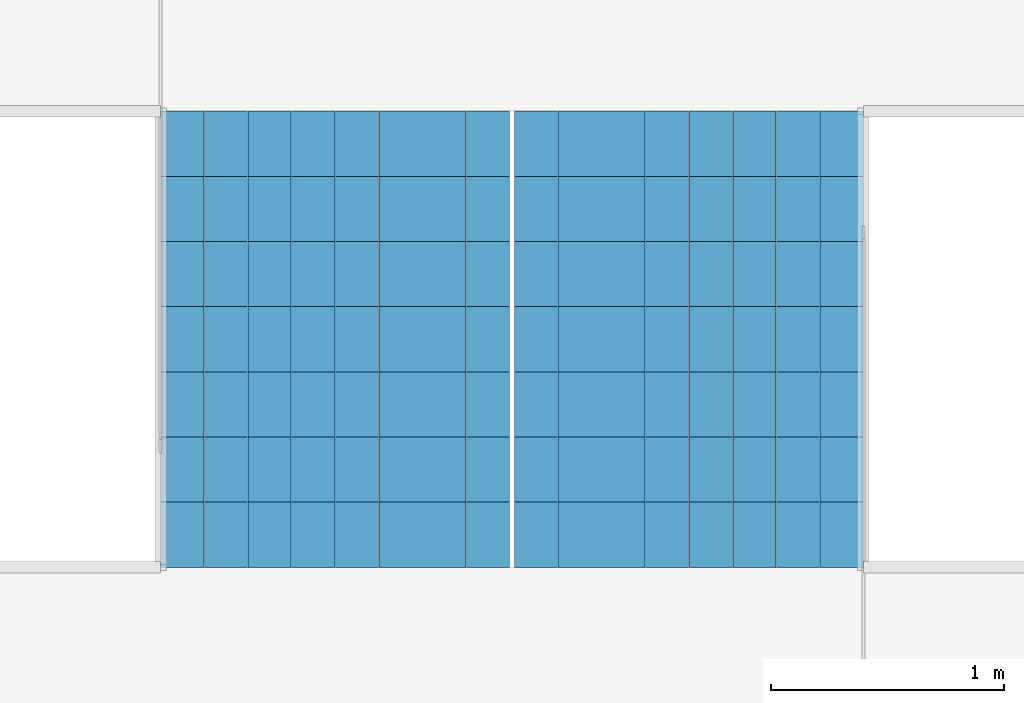
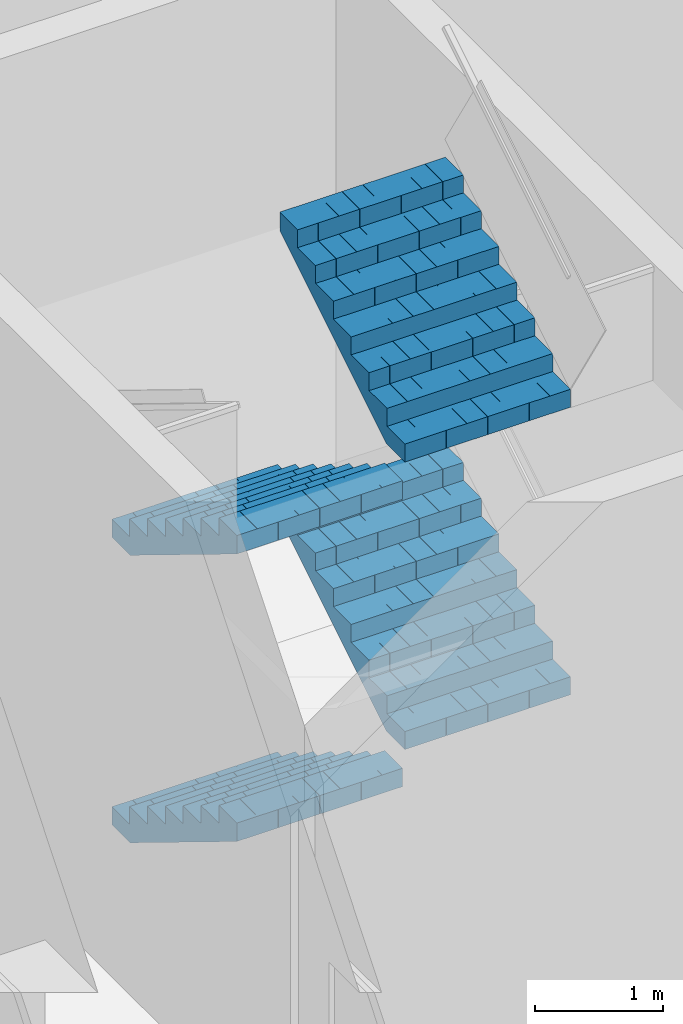
# One storey, part 25 of 27: 4 stair flights, 1 element without a shape of its own.
"""IFC4 building model written with IfcOpenShell, lengths in metres."""

from ifc_helpers import new_model, si_unit, direction, frame, origin, place, context, subcontext, project, spatial, polyline, outline, extrude, material, type_object, element, aggregate, save


model = new_model("IFC4")

# Units and contexts
model_context = context("Model", 3, precision=1e-05, world=origin(), true_north=direction((0.0, 1.0)))
body_context = subcontext(model_context, "Body", "Model", "MODEL_VIEW")
ifc_project = project(units=[si_unit("LENGTHUNIT", "METRE"), si_unit("AREAUNIT", "SQUARE_METRE"), si_unit("VOLUMEUNIT", "CUBIC_METRE"), si_unit("PLANEANGLEUNIT", "RADIAN"), si_unit("MASSUNIT", "GRAM", prefix="KILO")], contexts=[model_context])

# Site, building, storey
site_placement = place(None, origin())
site = spatial("IfcSite", under=ifc_project, at=site_placement, CompositionType="ELEMENT")
building_placement = place(site_placement, origin())
building = spatial("IfcBuilding", under=site, at=building_placement, Name="Kolab Exchange Tower", CompositionType="ELEMENT")
storey_placement = place(building_placement, frame((0.0, 0.0, 27.89990234375)))
storey = spatial("IfcBuildingStorey", under=building, at=storey_placement, Name="L05", CompositionType="ELEMENT", Elevation=27.89990234375)

# Stair, stair flights
ifc_material = material(Name="Concrete C50/60", Category="concrete")
stair_type = type_object("IfcStairType", Name="STAIR ST4 RISER 171.9", PredefinedType="DOUBLE_RETURN_STAIR", material=ifc_material)
stair_placement = place(storey_placement, origin())
stair = element("IfcStair", 1, at=stair_placement, inside=storey, type_object=stair_type, Name="Stair 4", PredefinedType="DOUBLE_RETURN_STAIR")
stair_flight_type = type_object("IfcStairFlightType", Name="STAIR FLIGHT 1500 RISER 171.9", PredefinedType="STRAIGHT", material=ifc_material)
stair_flight_1_placement = place(storey_placement, frame((18.43994140625, 0.64990234375, 0.0), z_axis=(0.0, 0.0, 1.0), x_axis=(0.0, -1.0, 0.0)))
stair_flight_1 = element("IfcStairFlight", 2, at=stair_flight_1_placement, type_object=stair_flight_type, Name="ST4 flight 1", NumberOfRisers=8, NumberOfTreads=7, PredefinedType="STRAIGHT", RiserHeight=0.171875, TreadLength=0.28, context=body_context, shape_type="SweptSolid", body=[
    extrude(outline(polyline([(0.0, 0.0), (0.0, 0.171875), (0.280029296875, 0.171875), (0.280029296875, 0.34375), (0.56005859375, 0.34375), (0.56005859375, 0.515625), (0.840087890625, 0.515625), (0.840087890625, 0.6875), (1.1201171875, 0.6875), (1.1201171875, 0.859375), (1.39990234375, 0.859375), (1.39990234375, 1.03125), (1.679931640625, 1.03125), (1.679931640625, 1.203125), (1.9599609375, 1.203125), (1.9599609375, 1.375), (1.9599609375, 1.02734375), (0.28662109375, 0.0), (0.0, 0.0)])), frame((0.0, 0.75, 0.0), z_axis=(0.0, -1.0, 0.0), x_axis=(1.0, 0.0, 0.0)), (0.0, 0.0, 1.0), 0.185791015625),
    extrude(outline(polyline([(0.0, 0.0), (0.0, 0.171875), (0.280029296875, 0.171875), (0.280029296875, 0.34375), (0.56005859375, 0.34375), (0.56005859375, 0.515625), (0.840087890625, 0.515625), (0.840087890625, 0.6875), (1.1201171875, 0.6875), (1.1201171875, 0.859375), (1.39990234375, 0.859375), (1.39990234375, 1.03125), (1.679931640625, 1.03125), (1.679931640625, 1.203125), (1.9599609375, 1.203125), (1.9599609375, 1.375), (1.9599609375, 1.02734375), (0.28662109375, 0.0), (0.0, 0.0)])), frame((0.0, 0.562255859375, 0.0), z_axis=(0.0, -1.0, 0.0), x_axis=(1.0, 0.0, 0.0)), (0.0, 0.0, 1.0), 0.185791015625),
    extrude(outline(polyline([(0.0, 0.0), (0.0, 0.171875), (0.280029296875, 0.171875), (0.280029296875, 0.34375), (0.56005859375, 0.34375), (0.56005859375, 0.515625), (0.840087890625, 0.515625), (0.840087890625, 0.6875), (1.1201171875, 0.6875), (1.1201171875, 0.859375), (1.39990234375, 0.859375), (1.39990234375, 1.03125), (1.679931640625, 1.03125), (1.679931640625, 1.203125), (1.9599609375, 1.203125), (1.9599609375, 1.375), (1.9599609375, 1.02734375), (0.28662109375, 0.0), (0.0, 0.0)])), frame((0.0, 0.37451171875, 0.0), z_axis=(0.0, -1.0, 0.0), x_axis=(1.0, 0.0, 0.0)), (0.0, 0.0, 1.0), 0.185791015625),
    extrude(outline(polyline([(0.0, 0.0), (0.0, 0.171875), (0.280029296875, 0.171875), (0.280029296875, 0.34375), (0.56005859375, 0.34375), (0.56005859375, 0.515625), (0.840087890625, 0.515625), (0.840087890625, 0.6875), (1.1201171875, 0.6875), (1.1201171875, 0.859375), (1.39990234375, 0.859375), (1.39990234375, 1.03125), (1.679931640625, 1.03125), (1.679931640625, 1.203125), (1.9599609375, 1.203125), (1.9599609375, 1.375), (1.9599609375, 1.02734375), (0.28662109375, 0.0), (0.0, 0.0)])), frame((0.0, 0.186767578125, 0.0), z_axis=(0.0, -1.0, 0.0), x_axis=(1.0, 0.0, 0.0)), (0.0, 0.0, 1.0), 0.185791015625),
    extrude(outline(polyline([(0.0, 0.0), (0.0, 0.171875), (0.280029296875, 0.171875), (0.280029296875, 0.34375), (0.56005859375, 0.34375), (0.56005859375, 0.515625), (0.840087890625, 0.515625), (0.840087890625, 0.6875), (1.1201171875, 0.6875), (1.1201171875, 0.859375), (1.39990234375, 0.859375), (1.39990234375, 1.03125), (1.679931640625, 1.03125), (1.679931640625, 1.203125), (1.9599609375, 1.203125), (1.9599609375, 1.375), (1.9599609375, 1.02734375), (0.28662109375, 0.0), (0.0, 0.0)])), frame((0.0, -0.0009765625, 0.0), z_axis=(0.0, -1.0, 0.0), x_axis=(1.0, 0.0, 0.0)), (0.0, 0.0, 1.0), 0.185791015625),
    extrude(outline(polyline([(0.0, 0.0), (0.0, 0.171875), (0.280029296875, 0.171875), (0.280029296875, 0.34375), (0.56005859375, 0.34375), (0.56005859375, 0.515625), (0.840087890625, 0.515625), (0.840087890625, 0.6875), (1.1201171875, 0.6875), (1.1201171875, 0.859375), (1.39990234375, 0.859375), (1.39990234375, 1.03125), (1.679931640625, 1.03125), (1.679931640625, 1.203125), (1.9599609375, 1.203125), (1.9599609375, 1.375), (1.9599609375, 1.02734375), (0.28662109375, 0.0), (0.0, 0.0)])), frame((0.0, -0.188720703125, 0.0), z_axis=(0.0, -1.0, 0.0), x_axis=(1.0, 0.0, 0.0)), (0.0, 0.0, 1.0), 0.185791015625),
    extrude(outline(polyline([(0.0, 0.0), (0.0, 0.171875), (0.280029296875, 0.171875), (0.280029296875, 0.34375), (0.56005859375, 0.34375), (0.56005859375, 0.515625), (0.840087890625, 0.515625), (0.840087890625, 0.6875), (1.1201171875, 0.6875), (1.1201171875, 0.859375), (1.39990234375, 0.859375), (1.39990234375, 1.03125), (1.679931640625, 1.03125), (1.679931640625, 1.203125), (1.9599609375, 1.203125), (1.9599609375, 1.375), (1.9599609375, 1.02734375), (0.28662109375, 0.0), (0.0, 0.0)])), frame((0.0, -0.37646484375, 0.0), z_axis=(0.0, -1.0, 0.0), x_axis=(1.0, 0.0, 0.0)), (0.0, 0.0, 1.0), 0.185791015625),
    extrude(outline(polyline([(0.0, 0.0), (0.0, 0.171875), (0.280029296875, 0.171875), (0.280029296875, 0.34375), (0.56005859375, 0.34375), (0.56005859375, 0.515625), (0.840087890625, 0.515625), (0.840087890625, 0.6875), (1.1201171875, 0.6875), (1.1201171875, 0.859375), (1.39990234375, 0.859375), (1.39990234375, 1.03125), (1.679931640625, 1.03125), (1.679931640625, 1.203125), (1.9599609375, 1.203125), (1.9599609375, 1.375), (1.9599609375, 1.02734375), (0.28662109375, 0.0), (0.0, 0.0)])), frame((0.0, -0.564208984375, 0.0), z_axis=(0.0, -1.0, 0.0), x_axis=(1.0, 0.0, 0.0)), (0.0, 0.0, 1.0), 0.185791015625),
])
stair_flight_2_placement = place(storey_placement, frame((19.9599609375, -1.31005859375, 1.375), z_axis=(0.0, 0.0, 1.0), x_axis=(0.0, 1.0, 0.0)))
stair_flight_2 = element("IfcStairFlight", 3, at=stair_flight_2_placement, type_object=stair_flight_type, Name="ST4 flight 2", NumberOfRisers=8, NumberOfTreads=7, PredefinedType="STRAIGHT", RiserHeight=0.171875, TreadLength=0.28, context=body_context, shape_type="SweptSolid", body=[
    extrude(outline(polyline([(0.0, 0.0), (0.0, 0.171875), (0.280029296875, 0.171875), (0.280029296875, 0.34375), (0.56005859375, 0.34375), (0.56005859375, 0.515625), (0.840087890625, 0.515625), (0.840087890625, 0.6875), (1.1201171875, 0.6875), (1.1201171875, 0.859375), (1.39990234375, 0.859375), (1.39990234375, 1.03125), (1.679931640625, 1.03125), (1.679931640625, 1.203125), (1.9599609375, 1.203125), (1.9599609375, 1.375), (1.9599609375, 1.02734375), (0.28662109375, 0.0), (0.0, 0.0)])), frame((0.0, 0.75, 0.0), z_axis=(0.0, -1.0, 0.0), x_axis=(1.0, 0.0, 0.0)), (0.0, 0.0, 1.0), 0.185791015625),
    extrude(outline(polyline([(0.0, 0.0), (0.0, 0.171875), (0.280029296875, 0.171875), (0.280029296875, 0.34375), (0.56005859375, 0.34375), (0.56005859375, 0.515625), (0.840087890625, 0.515625), (0.840087890625, 0.6875), (1.1201171875, 0.6875), (1.1201171875, 0.859375), (1.39990234375, 0.859375), (1.39990234375, 1.03125), (1.679931640625, 1.03125), (1.679931640625, 1.203125), (1.9599609375, 1.203125), (1.9599609375, 1.375), (1.9599609375, 1.02734375), (0.28662109375, 0.0), (0.0, 0.0)])), frame((0.0, 0.562255859375, 0.0), z_axis=(0.0, -1.0, 0.0), x_axis=(1.0, 0.0, 0.0)), (0.0, 0.0, 1.0), 0.185791015625),
    extrude(outline(polyline([(0.0, 0.0), (0.0, 0.171875), (0.280029296875, 0.171875), (0.280029296875, 0.34375), (0.56005859375, 0.34375), (0.56005859375, 0.515625), (0.840087890625, 0.515625), (0.840087890625, 0.6875), (1.1201171875, 0.6875), (1.1201171875, 0.859375), (1.39990234375, 0.859375), (1.39990234375, 1.03125), (1.679931640625, 1.03125), (1.679931640625, 1.203125), (1.9599609375, 1.203125), (1.9599609375, 1.375), (1.9599609375, 1.02734375), (0.28662109375, 0.0), (0.0, 0.0)])), frame((0.0, 0.37451171875, 0.0), z_axis=(0.0, -1.0, 0.0), x_axis=(1.0, 0.0, 0.0)), (0.0, 0.0, 1.0), 0.185791015625),
    extrude(outline(polyline([(0.0, 0.0), (0.0, 0.171875), (0.280029296875, 0.171875), (0.280029296875, 0.34375), (0.56005859375, 0.34375), (0.56005859375, 0.515625), (0.840087890625, 0.515625), (0.840087890625, 0.6875), (1.1201171875, 0.6875), (1.1201171875, 0.859375), (1.39990234375, 0.859375), (1.39990234375, 1.03125), (1.679931640625, 1.03125), (1.679931640625, 1.203125), (1.9599609375, 1.203125), (1.9599609375, 1.375), (1.9599609375, 1.02734375), (0.28662109375, 0.0), (0.0, 0.0)])), frame((0.0, 0.186767578125, 0.0), z_axis=(0.0, -1.0, 0.0), x_axis=(1.0, 0.0, 0.0)), (0.0, 0.0, 1.0), 0.185791015625),
    extrude(outline(polyline([(0.0, 0.0), (0.0, 0.171875), (0.280029296875, 0.171875), (0.280029296875, 0.34375), (0.56005859375, 0.34375), (0.56005859375, 0.515625), (0.840087890625, 0.515625), (0.840087890625, 0.6875), (1.1201171875, 0.6875), (1.1201171875, 0.859375), (1.39990234375, 0.859375), (1.39990234375, 1.03125), (1.679931640625, 1.03125), (1.679931640625, 1.203125), (1.9599609375, 1.203125), (1.9599609375, 1.375), (1.9599609375, 1.02734375), (0.28662109375, 0.0), (0.0, 0.0)])), frame((0.0, -0.0009765625, 0.0), z_axis=(0.0, -1.0, 0.0), x_axis=(1.0, 0.0, 0.0)), (0.0, 0.0, 1.0), 0.185791015625),
    extrude(outline(polyline([(0.0, 0.0), (0.0, 0.171875), (0.280029296875, 0.171875), (0.280029296875, 0.34375), (0.56005859375, 0.34375), (0.56005859375, 0.515625), (0.840087890625, 0.515625), (0.840087890625, 0.6875), (1.1201171875, 0.6875), (1.1201171875, 0.859375), (1.39990234375, 0.859375), (1.39990234375, 1.03125), (1.679931640625, 1.03125), (1.679931640625, 1.203125), (1.9599609375, 1.203125), (1.9599609375, 1.375), (1.9599609375, 1.02734375), (0.28662109375, 0.0), (0.0, 0.0)])), frame((0.0, -0.188720703125, 0.0), z_axis=(0.0, -1.0, 0.0), x_axis=(1.0, 0.0, 0.0)), (0.0, 0.0, 1.0), 0.185791015625),
    extrude(outline(polyline([(0.0, 0.0), (0.0, 0.171875), (0.280029296875, 0.171875), (0.280029296875, 0.34375), (0.56005859375, 0.34375), (0.56005859375, 0.515625), (0.840087890625, 0.515625), (0.840087890625, 0.6875), (1.1201171875, 0.6875), (1.1201171875, 0.859375), (1.39990234375, 0.859375), (1.39990234375, 1.03125), (1.679931640625, 1.03125), (1.679931640625, 1.203125), (1.9599609375, 1.203125), (1.9599609375, 1.375), (1.9599609375, 1.02734375), (0.28662109375, 0.0), (0.0, 0.0)])), frame((0.0, -0.37646484375, 0.0), z_axis=(0.0, -1.0, 0.0), x_axis=(1.0, 0.0, 0.0)), (0.0, 0.0, 1.0), 0.185791015625),
    extrude(outline(polyline([(0.0, 0.0), (0.0, 0.171875), (0.280029296875, 0.171875), (0.280029296875, 0.34375), (0.56005859375, 0.34375), (0.56005859375, 0.515625), (0.840087890625, 0.515625), (0.840087890625, 0.6875), (1.1201171875, 0.6875), (1.1201171875, 0.859375), (1.39990234375, 0.859375), (1.39990234375, 1.03125), (1.679931640625, 1.03125), (1.679931640625, 1.203125), (1.9599609375, 1.203125), (1.9599609375, 1.375), (1.9599609375, 1.02734375), (0.28662109375, 0.0), (0.0, 0.0)])), frame((0.0, -0.564208984375, 0.0), z_axis=(0.0, -1.0, 0.0), x_axis=(1.0, 0.0, 0.0)), (0.0, 0.0, 1.0), 0.185791015625),
])
stair_flight_3_placement = place(storey_placement, frame((18.43994140625, 0.64990234375, 2.75), z_axis=(0.0, 0.0, 1.0), x_axis=(0.0, -1.0, 0.0)))
stair_flight_3 = element("IfcStairFlight", 4, at=stair_flight_3_placement, type_object=stair_flight_type, Name="ST4 flight 3", NumberOfRisers=8, NumberOfTreads=7, PredefinedType="STRAIGHT", RiserHeight=0.171875, TreadLength=0.28, context=body_context, shape_type="SweptSolid", body=[
    extrude(outline(polyline([(0.0, 0.0), (0.0, 0.171875), (0.280029296875, 0.171875), (0.280029296875, 0.34375), (0.56005859375, 0.34375), (0.56005859375, 0.515625), (0.840087890625, 0.515625), (0.840087890625, 0.6875), (1.1201171875, 0.6875), (1.1201171875, 0.859375), (1.39990234375, 0.859375), (1.39990234375, 1.03125), (1.679931640625, 1.03125), (1.679931640625, 1.203125), (1.9599609375, 1.203125), (1.9599609375, 1.375), (1.9599609375, 1.02734375), (0.28662109375, 0.0), (0.0, 0.0)])), frame((0.0, 0.75, 0.0), z_axis=(0.0, -1.0, 0.0), x_axis=(1.0, 0.0, 0.0)), (0.0, 0.0, 1.0), 0.185791015625),
    extrude(outline(polyline([(0.0, 0.0), (0.0, 0.171875), (0.280029296875, 0.171875), (0.280029296875, 0.34375), (0.56005859375, 0.34375), (0.56005859375, 0.515625), (0.840087890625, 0.515625), (0.840087890625, 0.6875), (1.1201171875, 0.6875), (1.1201171875, 0.859375), (1.39990234375, 0.859375), (1.39990234375, 1.03125), (1.679931640625, 1.03125), (1.679931640625, 1.203125), (1.9599609375, 1.203125), (1.9599609375, 1.375), (1.9599609375, 1.02734375), (0.28662109375, 0.0), (0.0, 0.0)])), frame((0.0, 0.562255859375, 0.0), z_axis=(0.0, -1.0, 0.0), x_axis=(1.0, 0.0, 0.0)), (0.0, 0.0, 1.0), 0.185791015625),
    extrude(outline(polyline([(0.0, 0.0), (0.0, 0.171875), (0.280029296875, 0.171875), (0.280029296875, 0.34375), (0.56005859375, 0.34375), (0.56005859375, 0.515625), (0.840087890625, 0.515625), (0.840087890625, 0.6875), (1.1201171875, 0.6875), (1.1201171875, 0.859375), (1.39990234375, 0.859375), (1.39990234375, 1.03125), (1.679931640625, 1.03125), (1.679931640625, 1.203125), (1.9599609375, 1.203125), (1.9599609375, 1.375), (1.9599609375, 1.02734375), (0.28662109375, 0.0), (0.0, 0.0)])), frame((0.0, 0.37451171875, 0.0), z_axis=(0.0, -1.0, 0.0), x_axis=(1.0, 0.0, 0.0)), (0.0, 0.0, 1.0), 0.185791015625),
    extrude(outline(polyline([(0.0, 0.0), (0.0, 0.171875), (0.280029296875, 0.171875), (0.280029296875, 0.34375), (0.56005859375, 0.34375), (0.56005859375, 0.515625), (0.840087890625, 0.515625), (0.840087890625, 0.6875), (1.1201171875, 0.6875), (1.1201171875, 0.859375), (1.39990234375, 0.859375), (1.39990234375, 1.03125), (1.679931640625, 1.03125), (1.679931640625, 1.203125), (1.9599609375, 1.203125), (1.9599609375, 1.375), (1.9599609375, 1.02734375), (0.28662109375, 0.0), (0.0, 0.0)])), frame((0.0, 0.186767578125, 0.0), z_axis=(0.0, -1.0, 0.0), x_axis=(1.0, 0.0, 0.0)), (0.0, 0.0, 1.0), 0.185791015625),
    extrude(outline(polyline([(0.0, 0.0), (0.0, 0.171875), (0.280029296875, 0.171875), (0.280029296875, 0.34375), (0.56005859375, 0.34375), (0.56005859375, 0.515625), (0.840087890625, 0.515625), (0.840087890625, 0.6875), (1.1201171875, 0.6875), (1.1201171875, 0.859375), (1.39990234375, 0.859375), (1.39990234375, 1.03125), (1.679931640625, 1.03125), (1.679931640625, 1.203125), (1.9599609375, 1.203125), (1.9599609375, 1.375), (1.9599609375, 1.02734375), (0.28662109375, 0.0), (0.0, 0.0)])), frame((0.0, -0.0009765625, 0.0), z_axis=(0.0, -1.0, 0.0), x_axis=(1.0, 0.0, 0.0)), (0.0, 0.0, 1.0), 0.185791015625),
    extrude(outline(polyline([(0.0, 0.0), (0.0, 0.171875), (0.280029296875, 0.171875), (0.280029296875, 0.34375), (0.56005859375, 0.34375), (0.56005859375, 0.515625), (0.840087890625, 0.515625), (0.840087890625, 0.6875), (1.1201171875, 0.6875), (1.1201171875, 0.859375), (1.39990234375, 0.859375), (1.39990234375, 1.03125), (1.679931640625, 1.03125), (1.679931640625, 1.203125), (1.9599609375, 1.203125), (1.9599609375, 1.375), (1.9599609375, 1.02734375), (0.28662109375, 0.0), (0.0, 0.0)])), frame((0.0, -0.188720703125, 0.0), z_axis=(0.0, -1.0, 0.0), x_axis=(1.0, 0.0, 0.0)), (0.0, 0.0, 1.0), 0.185791015625),
    extrude(outline(polyline([(0.0, 0.0), (0.0, 0.171875), (0.280029296875, 0.171875), (0.280029296875, 0.34375), (0.56005859375, 0.34375), (0.56005859375, 0.515625), (0.840087890625, 0.515625), (0.840087890625, 0.6875), (1.1201171875, 0.6875), (1.1201171875, 0.859375), (1.39990234375, 0.859375), (1.39990234375, 1.03125), (1.679931640625, 1.03125), (1.679931640625, 1.203125), (1.9599609375, 1.203125), (1.9599609375, 1.375), (1.9599609375, 1.02734375), (0.28662109375, 0.0), (0.0, 0.0)])), frame((0.0, -0.37646484375, 0.0), z_axis=(0.0, -1.0, 0.0), x_axis=(1.0, 0.0, 0.0)), (0.0, 0.0, 1.0), 0.185791015625),
    extrude(outline(polyline([(0.0, 0.0), (0.0, 0.171875), (0.280029296875, 0.171875), (0.280029296875, 0.34375), (0.56005859375, 0.34375), (0.56005859375, 0.515625), (0.840087890625, 0.515625), (0.840087890625, 0.6875), (1.1201171875, 0.6875), (1.1201171875, 0.859375), (1.39990234375, 0.859375), (1.39990234375, 1.03125), (1.679931640625, 1.03125), (1.679931640625, 1.203125), (1.9599609375, 1.203125), (1.9599609375, 1.375), (1.9599609375, 1.02734375), (0.28662109375, 0.0), (0.0, 0.0)])), frame((0.0, -0.564208984375, 0.0), z_axis=(0.0, -1.0, 0.0), x_axis=(1.0, 0.0, 0.0)), (0.0, 0.0, 1.0), 0.185791015625),
])
stair_flight_4_placement = place(storey_placement, frame((19.9599609375, -1.31005859375, 4.125), z_axis=(0.0, 0.0, 1.0), x_axis=(0.0, 1.0, 0.0)))
stair_flight_4 = element("IfcStairFlight", 5, at=stair_flight_4_placement, type_object=stair_flight_type, Name="ST4 flight 4", NumberOfRisers=8, NumberOfTreads=7, PredefinedType="STRAIGHT", RiserHeight=0.171875, TreadLength=0.28, context=body_context, shape_type="SweptSolid", body=[
    extrude(outline(polyline([(0.0, 0.0), (0.0, 0.171875), (0.280029296875, 0.171875), (0.280029296875, 0.34375), (0.56005859375, 0.34375), (0.56005859375, 0.515625), (0.840087890625, 0.515625), (0.840087890625, 0.6875), (1.1201171875, 0.6875), (1.1201171875, 0.859375), (1.39990234375, 0.859375), (1.39990234375, 1.03125), (1.679931640625, 1.03125), (1.679931640625, 1.203125), (1.9599609375, 1.203125), (1.9599609375, 1.375), (1.9599609375, 1.02734375), (0.28662109375, 0.0), (0.0, 0.0)])), frame((0.0, 0.75, 0.0), z_axis=(0.0, -1.0, 0.0), x_axis=(1.0, 0.0, 0.0)), (0.0, 0.0, 1.0), 0.185791015625),
    extrude(outline(polyline([(0.0, 0.0), (0.0, 0.171875), (0.280029296875, 0.171875), (0.280029296875, 0.34375), (0.56005859375, 0.34375), (0.56005859375, 0.515625), (0.840087890625, 0.515625), (0.840087890625, 0.6875), (1.1201171875, 0.6875), (1.1201171875, 0.859375), (1.39990234375, 0.859375), (1.39990234375, 1.03125), (1.679931640625, 1.03125), (1.679931640625, 1.203125), (1.9599609375, 1.203125), (1.9599609375, 1.375), (1.9599609375, 1.02734375), (0.28662109375, 0.0), (0.0, 0.0)])), frame((0.0, 0.562255859375, 0.0), z_axis=(0.0, -1.0, 0.0), x_axis=(1.0, 0.0, 0.0)), (0.0, 0.0, 1.0), 0.185791015625),
    extrude(outline(polyline([(0.0, 0.0), (0.0, 0.171875), (0.280029296875, 0.171875), (0.280029296875, 0.34375), (0.56005859375, 0.34375), (0.56005859375, 0.515625), (0.840087890625, 0.515625), (0.840087890625, 0.6875), (1.1201171875, 0.6875), (1.1201171875, 0.859375), (1.39990234375, 0.859375), (1.39990234375, 1.03125), (1.679931640625, 1.03125), (1.679931640625, 1.203125), (1.9599609375, 1.203125), (1.9599609375, 1.375), (1.9599609375, 1.02734375), (0.28662109375, 0.0), (0.0, 0.0)])), frame((0.0, 0.37451171875, 0.0), z_axis=(0.0, -1.0, 0.0), x_axis=(1.0, 0.0, 0.0)), (0.0, 0.0, 1.0), 0.185791015625),
    extrude(outline(polyline([(0.0, 0.0), (0.0, 0.171875), (0.280029296875, 0.171875), (0.280029296875, 0.34375), (0.56005859375, 0.34375), (0.56005859375, 0.515625), (0.840087890625, 0.515625), (0.840087890625, 0.6875), (1.1201171875, 0.6875), (1.1201171875, 0.859375), (1.39990234375, 0.859375), (1.39990234375, 1.03125), (1.679931640625, 1.03125), (1.679931640625, 1.203125), (1.9599609375, 1.203125), (1.9599609375, 1.375), (1.9599609375, 1.02734375), (0.28662109375, 0.0), (0.0, 0.0)])), frame((0.0, 0.186767578125, 0.0), z_axis=(0.0, -1.0, 0.0), x_axis=(1.0, 0.0, 0.0)), (0.0, 0.0, 1.0), 0.185791015625),
    extrude(outline(polyline([(0.0, 0.0), (0.0, 0.171875), (0.280029296875, 0.171875), (0.280029296875, 0.34375), (0.56005859375, 0.34375), (0.56005859375, 0.515625), (0.840087890625, 0.515625), (0.840087890625, 0.6875), (1.1201171875, 0.6875), (1.1201171875, 0.859375), (1.39990234375, 0.859375), (1.39990234375, 1.03125), (1.679931640625, 1.03125), (1.679931640625, 1.203125), (1.9599609375, 1.203125), (1.9599609375, 1.375), (1.9599609375, 1.02734375), (0.28662109375, 0.0), (0.0, 0.0)])), frame((0.0, -0.0009765625, 0.0), z_axis=(0.0, -1.0, 0.0), x_axis=(1.0, 0.0, 0.0)), (0.0, 0.0, 1.0), 0.185791015625),
    extrude(outline(polyline([(0.0, 0.0), (0.0, 0.171875), (0.280029296875, 0.171875), (0.280029296875, 0.34375), (0.56005859375, 0.34375), (0.56005859375, 0.515625), (0.840087890625, 0.515625), (0.840087890625, 0.6875), (1.1201171875, 0.6875), (1.1201171875, 0.859375), (1.39990234375, 0.859375), (1.39990234375, 1.03125), (1.679931640625, 1.03125), (1.679931640625, 1.203125), (1.9599609375, 1.203125), (1.9599609375, 1.375), (1.9599609375, 1.02734375), (0.28662109375, 0.0), (0.0, 0.0)])), frame((0.0, -0.188720703125, 0.0), z_axis=(0.0, -1.0, 0.0), x_axis=(1.0, 0.0, 0.0)), (0.0, 0.0, 1.0), 0.185791015625),
    extrude(outline(polyline([(0.0, 0.0), (0.0, 0.171875), (0.280029296875, 0.171875), (0.280029296875, 0.34375), (0.56005859375, 0.34375), (0.56005859375, 0.515625), (0.840087890625, 0.515625), (0.840087890625, 0.6875), (1.1201171875, 0.6875), (1.1201171875, 0.859375), (1.39990234375, 0.859375), (1.39990234375, 1.03125), (1.679931640625, 1.03125), (1.679931640625, 1.203125), (1.9599609375, 1.203125), (1.9599609375, 1.375), (1.9599609375, 1.02734375), (0.28662109375, 0.0), (0.0, 0.0)])), frame((0.0, -0.37646484375, 0.0), z_axis=(0.0, -1.0, 0.0), x_axis=(1.0, 0.0, 0.0)), (0.0, 0.0, 1.0), 0.185791015625),
    extrude(outline(polyline([(0.0, 0.0), (0.0, 0.171875), (0.280029296875, 0.171875), (0.280029296875, 0.34375), (0.56005859375, 0.34375), (0.56005859375, 0.515625), (0.840087890625, 0.515625), (0.840087890625, 0.6875), (1.1201171875, 0.6875), (1.1201171875, 0.859375), (1.39990234375, 0.859375), (1.39990234375, 1.03125), (1.679931640625, 1.03125), (1.679931640625, 1.203125), (1.9599609375, 1.203125), (1.9599609375, 1.375), (1.9599609375, 1.02734375), (0.28662109375, 0.0), (0.0, 0.0)])), frame((0.0, -0.564208984375, 0.0), z_axis=(0.0, -1.0, 0.0), x_axis=(1.0, 0.0, 0.0)), (0.0, 0.0, 1.0), 0.185791015625),
])
aggregate(stair, [stair_flight_1, stair_flight_2, stair_flight_3, stair_flight_4])

save(model, "model.ifc")
